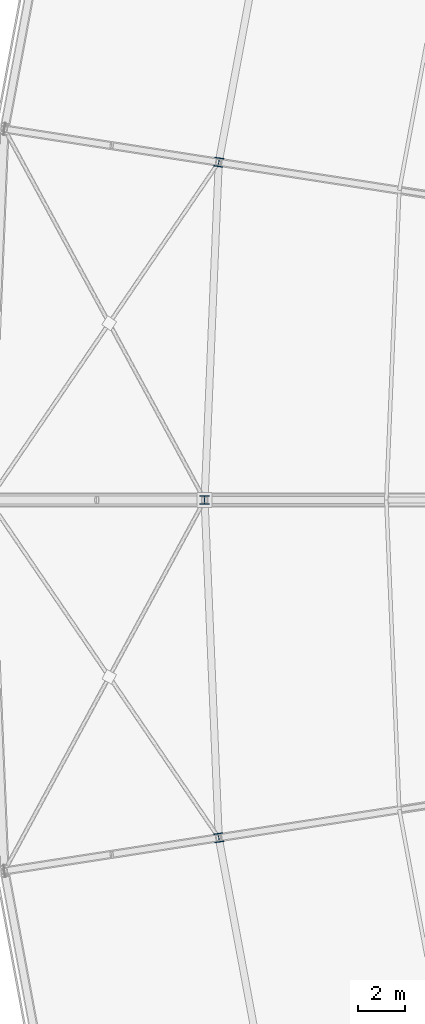
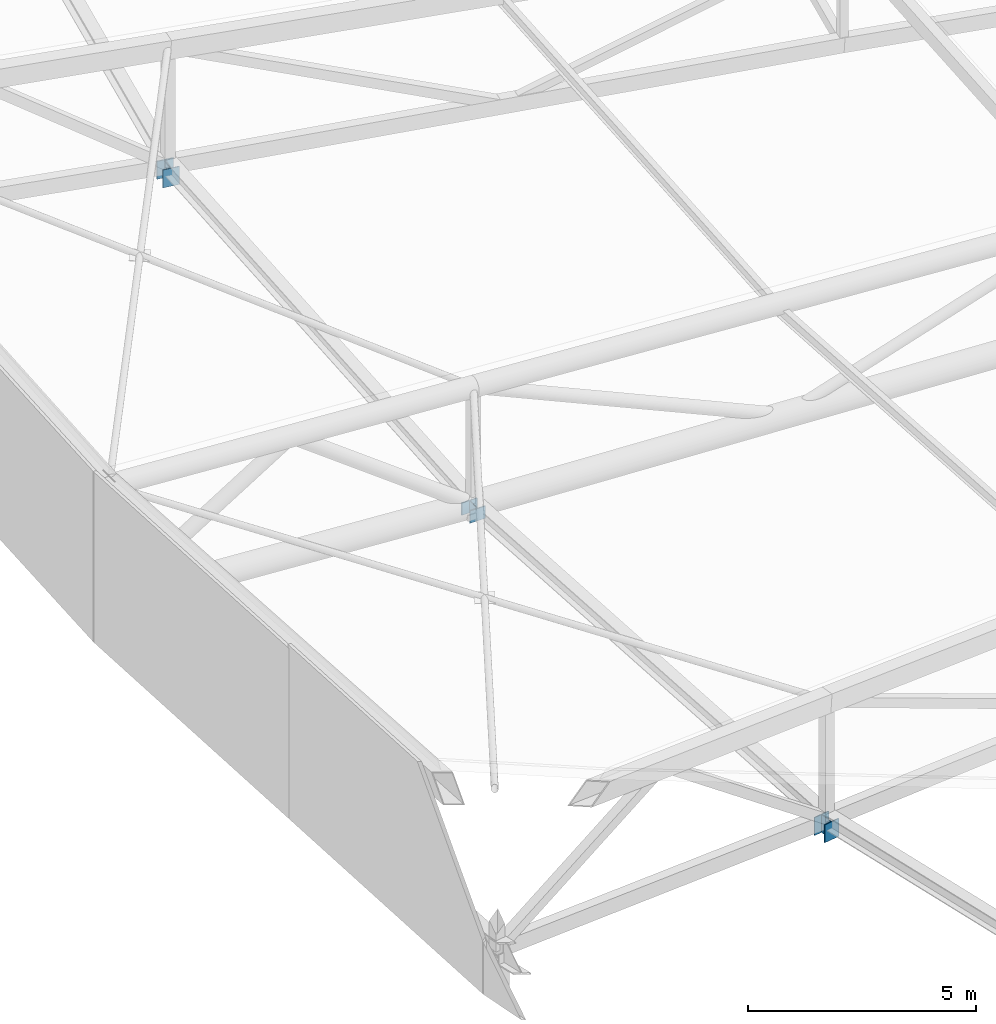
# One storey, part 14 of 143: 3 columns.
"""IFC4 building model written with IfcOpenShell, lengths in metres."""

import ifcopenshell
import ifcopenshell.guid

model = None  # the IFC model being written
_history = None  # IfcOwnerHistory: only IFC2X3 demands one
_inside = {}  # id of a spatial element -> (the spatial element, [elements in it])
_under = {}  # id of a project, library or spatial element -> (it, [spatial elements below it])
_declared = {}  # id of a project -> (the project, [libraries it declares])
_typed = {}  # id of a type object -> (the type object, [elements of that type])
_made_of = {}  # id of a material, layer set ... -> (it, [elements and type objects made of it])


def new_model(schema):
    """Start an empty IFC model of exactly this schema.

    Asked for "IFC4X3", IfcOpenShell would pick the latest addendum, in which some entities
    have other attributes; the version numbers below select the first issue.
    IFC2X3 requires an IfcOwnerHistory on every rooted entity: one is made here for all.
    """
    global model, _history
    if schema == "IFC4X3":
        model = ifcopenshell.file(schema_version=(4, 3, 0, 0))
    else:
        model = ifcopenshell.file(schema=schema)
    _inside.clear()
    _under.clear()
    _declared.clear()
    _typed.clear()
    _made_of.clear()
    _history = None
    if model.schema == "IFC2X3":
        org = make("IfcOrganization", Name="unknown")
        user = make(
            "IfcPersonAndOrganization",
            ThePerson=make("IfcPerson", FamilyName="unknown"),
            TheOrganization=org,
        )
        app = make(
            "IfcApplication",
            ApplicationDeveloper=org,
            Version="unknown",
            ApplicationFullName="unknown",
            ApplicationIdentifier="unknown",
        )
        _history = make(
            "IfcOwnerHistory",
            OwningUser=user,
            OwningApplication=app,
            ChangeAction="ADDED",
            CreationDate=0,
        )
    return model


def make(cls, **values):
    """One entity of the class cls with the attributes given. An attribute that is None is left unset."""
    return model.create_entity(
        cls, **{name: value for name, value in values.items() if value is not None}
    )


def rooted(cls, **values):
    """An entity with a GlobalId (a new one), such as an element, a storey or a relation."""
    return make(cls, GlobalId=ifcopenshell.guid.new(), OwnerHistory=_history, **values)


def si_unit(unit_type, name, prefix=None):
    """IfcSIUnit, for example si_unit("LENGTHUNIT", "METRE", prefix="MILLI")."""
    return make("IfcSIUnit", UnitType=unit_type, Prefix=prefix, Name=name)


def assignment(units):
    """IfcUnitAssignment: the units of a project."""
    return None if units is None else make("IfcUnitAssignment", Units=units)


def point(xyz):
    """IfcCartesianPoint."""
    return None if xyz is None else make("IfcCartesianPoint", Coordinates=xyz)


def direction(xyz):
    """IfcDirection."""
    return None if xyz is None else make("IfcDirection", DirectionRatios=xyz)


def frame(location, z_axis=None, x_axis=None):
    """IfcAxis2Placement3D, a coordinate frame: its origin and axes. An axis left out is left unset."""
    return make(
        "IfcAxis2Placement3D",
        Location=point(location),
        Axis=direction(z_axis),
        RefDirection=direction(x_axis),
    )


def frame_2d(location, x_axis=None):
    """IfcAxis2Placement2D, a coordinate frame in the plane: its origin and x axis."""
    return make(
        "IfcAxis2Placement2D", Location=point(location), RefDirection=direction(x_axis)
    )


def origin():
    """The frame at (0, 0, 0) with its axes left unset."""
    return frame((0.0, 0.0, 0.0))


def origin_2d():
    """The frame at (0, 0) in the plane with its x axis left unset."""
    return frame_2d((0.0, 0.0))


def place(relative_to, where):
    """IfcLocalPlacement: puts the frame where relative to a parent placement (None: the world)."""
    return make(
        "IfcLocalPlacement", PlacementRelTo=relative_to, RelativePlacement=where
    )


def context(
    kind, dimensions, precision=None, world=None, true_north=None, identifier=None
):
    """IfcGeometricRepresentationContext, for example the 3D "Model" context."""
    return make(
        "IfcGeometricRepresentationContext",
        ContextIdentifier=identifier,
        ContextType=kind,
        CoordinateSpaceDimension=dimensions,
        Precision=precision,
        WorldCoordinateSystem=world,
        TrueNorth=true_north,
    )


def subcontext(parent, identifier, kind, view, scale=None):
    """IfcGeometricRepresentationSubContext, for example "Body" below "Model"."""
    return make(
        "IfcGeometricRepresentationSubContext",
        ContextIdentifier=identifier,
        ContextType=kind,
        ParentContext=parent,
        TargetScale=scale,
        TargetView=view,
    )


def project(units=None, contexts=None):
    """IfcProject with its units and contexts."""
    return rooted(
        "IfcProject",
        Name="project",
        RepresentationContexts=contexts,
        UnitsInContext=assignment(units),
    )


def spatial(cls, under=None, at=None, **own):
    """A site, building, storey or space (cls), placed at a placement, below another one or the project."""
    s = rooted(cls, ObjectPlacement=at, **own)
    if under is not None:
        _under.setdefault(under.id(), (under, []))[1].append(s)
    return s


def profile(cls, at=None, kind="AREA", **sizes):
    """A parametric profile (cls). Its sizes go by their IFC names, for example OverallWidth=200.0."""
    return make(cls, ProfileType=kind, Position=at, **sizes)


def i_section(**sizes):
    """IfcIShapeProfileDef."""
    return profile("IfcIShapeProfileDef", **sizes)


def extrude(swept, where, along, depth):
    """IfcExtrudedAreaSolid: the profile swept, set in the frame where, extruded along a direction by depth."""
    return make(
        "IfcExtrudedAreaSolid",
        SweptArea=swept,
        Position=where,
        ExtrudedDirection=direction(along),
        Depth=depth,
    )


def shape(context_of_items, identifier, shape_type, items):
    """IfcShapeRepresentation: the items that make up one representation, for example the "Body"."""
    return make(
        "IfcShapeRepresentation",
        ContextOfItems=context_of_items,
        RepresentationIdentifier=identifier,
        RepresentationType=shape_type,
        Items=items,
    )


def material(Name=None, Category=None):
    """IfcMaterial."""
    return make("IfcMaterial", Name=Name, Category=Category)


def material_profile(
    of_material, cross_section, Name=None, Category=None, Priority=None
):
    """IfcMaterialProfile: a cross section and its material."""
    return make(
        "IfcMaterialProfile",
        Name=Name,
        Material=of_material,
        Profile=cross_section,
        Priority=Priority,
        Category=Category,
    )


def profile_set(profiles, Name=None, composite=None):
    """IfcMaterialProfileSet."""
    return make(
        "IfcMaterialProfileSet",
        Name=Name,
        MaterialProfiles=profiles,
        CompositeProfile=composite,
    )


def made_of(thing, what):
    """Note that an element or type object is made of a material, layer set ...; save() writes the relation."""
    if what is not None:
        _made_of.setdefault(what.id(), (what, []))[1].append(thing)
    return thing


def type_object(cls, material=None, **own):
    """A type object (cls), such as IfcWallType, which elements share."""
    return made_of(rooted(cls, **own), material)


def element(
    cls,
    number,
    at=None,
    inside=None,
    cuts=None,
    type_object=None,
    material=None,
    context=None,
    identifier="Body",
    shape_type=None,
    held_by="IfcProductDefinitionShape",
    body=None,
    shapes=None,
    **own,
):
    """One element of the class cls, such as IfcWall. Its Tag is "e" and its number.

    at: its placement. inside: the storey or other place that contains it. cuts: it is an
    opening in that element (IfcRelVoidsElement). A single representation is given by context,
    identifier, shape_type and body (its items); several are given by shapes. held_by: the class
    of the entity that holds the representations. save() writes the other relations.
    """
    e = rooted(cls, Tag="e%d" % number, ObjectPlacement=at, **own)
    if body is not None:
        shapes = [shape(context, identifier, shape_type, body)]
    if shapes is not None:
        e.Representation = make(held_by, Representations=shapes)
    if inside is not None:
        _inside.setdefault(inside.id(), (inside, []))[1].append(e)
    if cuts is not None:
        rooted(
            "IfcRelVoidsElement", RelatingBuildingElement=cuts, RelatedOpeningElement=e
        )
    if type_object is not None:
        _typed.setdefault(type_object.id(), (type_object, []))[1].append(e)
    return made_of(e, material)


def aggregate(whole, parts):
    """IfcRelAggregates: a whole, such as a stair, and the parts it consists of."""
    return rooted("IfcRelAggregates", RelatingObject=whole, RelatedObjects=parts)


def save(model, path):
    """Write the relations noted so far, then the file.

    IfcRelAggregates (storeys below a building ...), IfcRelContainedInSpatialStructure (elements
    in a storey), IfcRelDefinesByType, IfcRelAssociatesMaterial and IfcRelDeclares: one each for
    every whole, place, type object, material and project.
    """
    for whole, parts in _under.values():
        aggregate(whole, parts)
    for where, things in _inside.values():
        rooted(
            "IfcRelContainedInSpatialStructure",
            RelatedElements=things,
            RelatingStructure=where,
        )
    for kind, things in _typed.values():
        rooted("IfcRelDefinesByType", RelatedObjects=things, RelatingType=kind)
    for what, things in _made_of.values():
        rooted("IfcRelAssociatesMaterial", RelatedObjects=things, RelatingMaterial=what)
    for by, libraries in _declared.values():
        rooted("IfcRelDeclares", RelatingContext=by, RelatedDefinitions=libraries)
    model.write(path)


model = new_model("IFC4")

# Units and contexts
model_context = context("Model", 3, precision=1e-05, world=origin(), true_north=direction((0.0, 1.0)))
body_context = subcontext(model_context, "Body", "Model", "MODEL_VIEW")
ifc_project = project(units=[si_unit("LENGTHUNIT", "METRE"), si_unit("AREAUNIT", "SQUARE_METRE"), si_unit("VOLUMEUNIT", "CUBIC_METRE"), si_unit("PLANEANGLEUNIT", "RADIAN"), si_unit("MASSUNIT", "GRAM", prefix="KILO")], contexts=[model_context])

# Site, building, storey
site_placement = place(None, origin())
site = spatial("IfcSite", under=ifc_project, at=site_placement, CompositionType="ELEMENT")
building_placement = place(site_placement, origin())
building = spatial("IfcBuilding", under=site, at=building_placement, Name="Mphavela Belvedere Stadium", CompositionType="ELEMENT")
storey_placement = place(building_placement, frame((0.0, 0.0, 28.800048828125)))
storey = spatial("IfcBuildingStorey", under=building, at=storey_placement, Name="RF", CompositionType="ELEMENT", Elevation=28.800048828125)

# Columns
ifc_material = material(Name="Steel S355", Category="steel")
ifc_material_profile = material_profile(ifc_material, i_section(OverallWidth=0.39501953125, OverallDepth=0.3798828125, WebThickness=0.0166015625, FlangeThickness=0.02587890625, at=origin_2d()), Name="HD 400x237")
ifc_profile_set = profile_set([ifc_material_profile], Name="Steel S355")
column_type = type_object("IfcColumnType", Name="COL-STEEL-HD400", PredefinedType="COLUMN", material=ifc_profile_set)
column_1_placement = place(storey_placement, frame((22.0, 101.4248046875, 0.0), z_axis=(0.0, 0.0, 1.0), x_axis=(-0.98817491911, 0.153330783737, 0.0)))
element("IfcColumn", 1, at=column_1_placement, inside=storey, type_object=column_type, Name="Roof truss inner support column RF R3-24", PredefinedType="COLUMN", context=body_context, shape_type="SweptSolid", body=[
    extrude(i_section(OverallWidth=0.39501953125, OverallDepth=0.3798828125, WebThickness=0.0166015625, FlangeThickness=0.02587890625, at=origin_2d()), origin(), (0.0, 0.0, 1.0), 0.48046875),
])
column_2_placement = place(storey_placement, frame((21.39501953125, 87.0, 0.0), z_axis=(0.0, 0.0, 1.0), x_axis=(-1.0, 0.0, 0.0)))
element("IfcColumn", 2, at=column_2_placement, inside=storey, type_object=column_type, Name="Roof truss inner support column RF R3-25", PredefinedType="COLUMN", context=body_context, shape_type="SweptSolid", body=[
    extrude(i_section(OverallWidth=0.39501953125, OverallDepth=0.3798828125, WebThickness=0.0166015625, FlangeThickness=0.02587890625, at=origin_2d()), origin(), (0.0, 0.0, 1.0), 0.33154296875),
])
column_3_placement = place(storey_placement, frame((22.0, 72.5751953125, 0.0), z_axis=(0.0, 0.0, 1.0), x_axis=(-0.98817491911, -0.153330783737, 0.0)))
element("IfcColumn", 3, at=column_3_placement, inside=storey, type_object=column_type, Name="Roof truss inner support column RF R3-26", PredefinedType="COLUMN", context=body_context, shape_type="SweptSolid", body=[
    extrude(i_section(OverallWidth=0.39501953125, OverallDepth=0.3798828125, WebThickness=0.0166015625, FlangeThickness=0.02587890625, at=origin_2d()), origin(), (0.0, 0.0, 1.0), 0.48046875),
])

save(model, "model.ifc")
